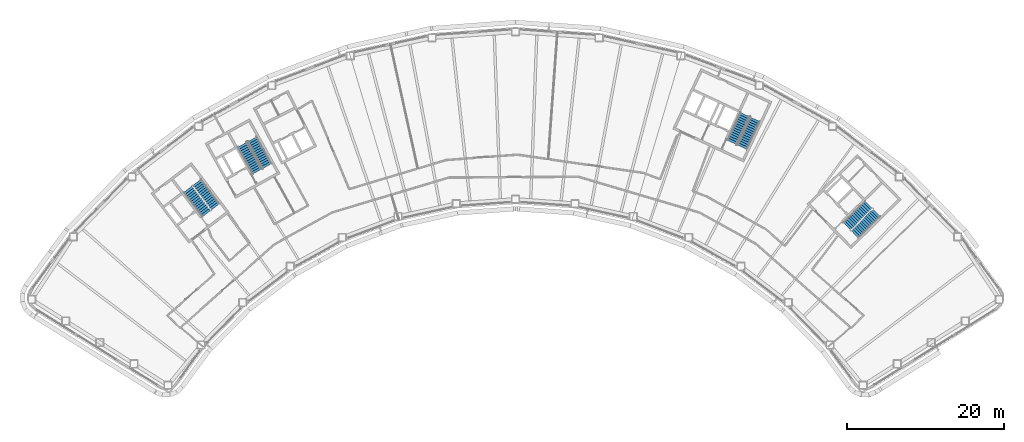
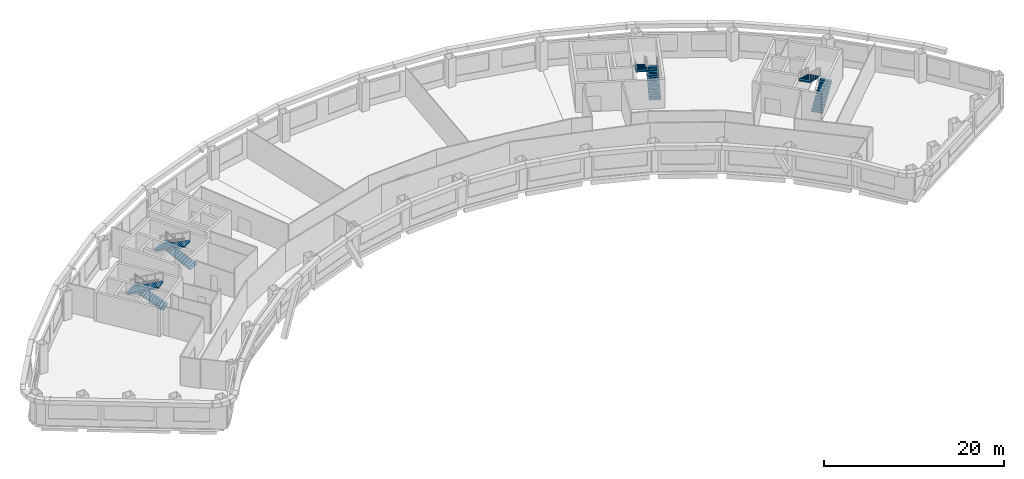
# One storey, part 8 of 13: 8 stair flights, 4 elements without a shape of their own.
"""IFC4 building model written with IfcOpenShell, lengths in metres."""

from ifc_helpers import new_model, si_unit, direction, frame, origin, place, context, subcontext, project, spatial, polyline, outline, extrude, material, type_object, element, aggregate, save


model = new_model("IFC4")

# Units and contexts
model_context = context("Model", 3, precision=1e-05, world=origin(), true_north=direction((0.0, 1.0)))
body_context = subcontext(model_context, "Body", "Model", "MODEL_VIEW")
ifc_project = project(units=[si_unit("LENGTHUNIT", "METRE"), si_unit("AREAUNIT", "SQUARE_METRE"), si_unit("VOLUMEUNIT", "CUBIC_METRE"), si_unit("PLANEANGLEUNIT", "RADIAN"), si_unit("MASSUNIT", "GRAM", prefix="KILO")], contexts=[model_context])

# Site, building, storey
site_placement = place(None, origin())
site = spatial("IfcSite", under=ifc_project, at=site_placement, CompositionType="ELEMENT")
building_placement = place(site_placement, origin())
building = spatial("IfcBuilding", under=site, at=building_placement, Name="Tuul Gate Civic Tower", CompositionType="ELEMENT")
storey_placement = place(building_placement, frame((0.0, 0.0, 150.800048828125)))
storey = spatial("IfcBuildingStorey", under=building, at=storey_placement, Name="Level 34", CompositionType="ELEMENT", Elevation=150.800048828125)

# Stair, stair flights
ifc_material_1 = material(Name="Concrete C40/50", Category="concrete")
stair_type = type_object("IfcStairType", Name="Exit stair", PredefinedType="HALF_TURN_STAIR", material=ifc_material_1)
stair_1_placement = place(storey_placement, origin())
stair_1 = element("IfcStair", 1, at=stair_1_placement, inside=storey, type_object=stair_type, Name="Level 34 ST-1", PredefinedType="HALF_TURN_STAIR")
ifc_material_2 = material(Name="Concrete C40/50", Category="concrete")
stair_flight_type = type_object("IfcStairFlightType", Name="Exit stair flight", PredefinedType="STRAIGHT", material=ifc_material_2)
stair_flight_1_placement = place(storey_placement, frame((-32.875244140625, -13.066650390625, 0.0), z_axis=(0.0, 0.0, 1.0), x_axis=(-0.605764474941, 0.795644016442, 0.0)))
stair_flight_1 = element("IfcStairFlight", 2, at=stair_flight_1_placement, type_object=stair_flight_type, Name="ST-1 flight 1", NumberOfRisers=14, NumberOfTreads=13, PredefinedType="STRAIGHT", RiserHeight=0.15, TreadLength=0.3, context=body_context, shape_type="SweptSolid", body=[
    extrude(outline(polyline([(0.0, 0.0), (0.0, 0.14990234375), (0.300048828125, 0.14990234375), (0.300048828125, 0.300048828125), (0.60009765625, 0.300048828125), (0.60009765625, 0.449951171875), (0.89990234375, 0.449951171875), (0.89990234375, 0.60009765625), (1.199951171875, 0.60009765625), (1.199951171875, 0.75), (1.5, 0.75), (1.5, 0.89990234375), (1.800048828125, 0.89990234375), (1.800048828125, 1.050048828125), (2.10009765625, 1.050048828125), (2.10009765625, 1.199951171875), (2.39990234375, 1.199951171875), (2.39990234375, 1.35009765625), (2.699951171875, 1.35009765625), (2.699951171875, 1.5), (3.0, 1.5), (3.0, 1.64990234375), (3.300048828125, 1.64990234375), (3.300048828125, 1.800048828125), (3.60009765625, 1.800048828125), (3.60009765625, 1.949951171875), (3.89990234375, 1.949951171875), (3.89990234375, 2.10009765625), (3.89990234375, 1.782470703125), (0.335205078125, 0.0), (0.0, 0.0)])), frame((0.0, 0.675048828125, 0.0), z_axis=(0.0, -1.0, 0.0), x_axis=(1.0, 0.0, 0.0)), (0.0, 0.0, 1.0), 1.35009765625),
])
stair_flight_2_placement = place(storey_placement, frame((-36.391357421875, -10.842041015625, 2.099853515625), z_axis=(0.0, 0.0, 1.0), x_axis=(0.605764474941, -0.795644016442, 0.0)))
stair_flight_2 = element("IfcStairFlight", 3, at=stair_flight_2_placement, type_object=stair_flight_type, Name="ST-1 flight 2", NumberOfRisers=14, NumberOfTreads=13, PredefinedType="STRAIGHT", RiserHeight=0.15, TreadLength=0.3, context=body_context, shape_type="SweptSolid", body=[
    extrude(outline(polyline([(0.0, 0.0), (0.0, 0.14990234375), (0.300048828125, 0.14990234375), (0.300048828125, 0.300048828125), (0.60009765625, 0.300048828125), (0.60009765625, 0.449951171875), (0.89990234375, 0.449951171875), (0.89990234375, 0.60009765625), (1.199951171875, 0.60009765625), (1.199951171875, 0.75), (1.5, 0.75), (1.5, 0.89990234375), (1.800048828125, 0.89990234375), (1.800048828125, 1.050048828125), (2.10009765625, 1.050048828125), (2.10009765625, 1.199951171875), (2.39990234375, 1.199951171875), (2.39990234375, 1.35009765625), (2.699951171875, 1.35009765625), (2.699951171875, 1.5), (3.0, 1.5), (3.0, 1.64990234375), (3.300048828125, 1.64990234375), (3.300048828125, 1.800048828125), (3.60009765625, 1.800048828125), (3.60009765625, 1.949951171875), (3.89990234375, 1.949951171875), (3.89990234375, 2.10009765625), (3.89990234375, 1.782470703125), (0.335205078125, 0.0), (0.0, 0.0)])), frame((0.0, 0.675048828125, 0.0), z_axis=(0.0, -1.0, 0.0), x_axis=(1.0, 0.0, 0.0)), (0.0, 0.0, 1.0), 1.35009765625),
])
aggregate(stair_1, [stair_flight_1, stair_flight_2])

stair_2_placement = place(storey_placement, origin())
stair_2 = element("IfcStair", 4, at=stair_2_placement, inside=storey, type_object=stair_type, Name="Level 34 ST-2", PredefinedType="HALF_TURN_STAIR")
stair_flight_3_placement = place(storey_placement, frame((-26.29150390625, -7.87646484375, 0.0), z_axis=(0.0, 0.0, 1.0), x_axis=(-0.484761763766, 0.874646232708, 0.0)))
stair_flight_3 = element("IfcStairFlight", 5, at=stair_flight_3_placement, type_object=stair_flight_type, Name="ST-2 flight 1", NumberOfRisers=14, NumberOfTreads=13, PredefinedType="STRAIGHT", RiserHeight=0.15, TreadLength=0.3, context=body_context, shape_type="SweptSolid", body=[
    extrude(outline(polyline([(0.0, 0.0), (0.0, 0.14990234375), (0.300048828125, 0.14990234375), (0.300048828125, 0.300048828125), (0.60009765625, 0.300048828125), (0.60009765625, 0.449951171875), (0.89990234375, 0.449951171875), (0.89990234375, 0.60009765625), (1.199951171875, 0.60009765625), (1.199951171875, 0.75), (1.5, 0.75), (1.5, 0.89990234375), (1.800048828125, 0.89990234375), (1.800048828125, 1.050048828125), (2.10009765625, 1.050048828125), (2.10009765625, 1.199951171875), (2.39990234375, 1.199951171875), (2.39990234375, 1.35009765625), (2.699951171875, 1.35009765625), (2.699951171875, 1.5), (3.0, 1.5), (3.0, 1.64990234375), (3.300048828125, 1.64990234375), (3.300048828125, 1.800048828125), (3.60009765625, 1.800048828125), (3.60009765625, 1.949951171875), (3.89990234375, 1.949951171875), (3.89990234375, 2.10009765625), (3.89990234375, 1.782470703125), (0.335205078125, 0.0), (0.0, 0.0)])), frame((0.0, 0.675048828125, 0.0), z_axis=(0.0, -1.0, 0.0), x_axis=(1.0, 0.0, 0.0)), (0.0, 0.0, 1.0), 1.35009765625),
])
stair_flight_4_placement = place(storey_placement, frame((-29.450439453125, -5.168212890625, 2.099853515625), z_axis=(0.0, 0.0, 1.0), x_axis=(0.484761763766, -0.874646232708, 0.0)))
stair_flight_4 = element("IfcStairFlight", 6, at=stair_flight_4_placement, type_object=stair_flight_type, Name="ST-2 flight 2", NumberOfRisers=14, NumberOfTreads=13, PredefinedType="STRAIGHT", RiserHeight=0.15, TreadLength=0.3, context=body_context, shape_type="SweptSolid", body=[
    extrude(outline(polyline([(0.0, 0.0), (0.0, 0.14990234375), (0.300048828125, 0.14990234375), (0.300048828125, 0.300048828125), (0.60009765625, 0.300048828125), (0.60009765625, 0.449951171875), (0.89990234375, 0.449951171875), (0.89990234375, 0.60009765625), (1.199951171875, 0.60009765625), (1.199951171875, 0.75), (1.5, 0.75), (1.5, 0.89990234375), (1.800048828125, 0.89990234375), (1.800048828125, 1.050048828125), (2.10009765625, 1.050048828125), (2.10009765625, 1.199951171875), (2.39990234375, 1.199951171875), (2.39990234375, 1.35009765625), (2.699951171875, 1.35009765625), (2.699951171875, 1.5), (3.0, 1.5), (3.0, 1.64990234375), (3.300048828125, 1.64990234375), (3.300048828125, 1.800048828125), (3.60009765625, 1.800048828125), (3.60009765625, 1.949951171875), (3.89990234375, 1.949951171875), (3.89990234375, 2.10009765625), (3.89990234375, 1.782470703125), (0.335205078125, 0.0), (0.0, 0.0)])), frame((0.0, 0.675048828125, 0.0), z_axis=(0.0, -1.0, 0.0), x_axis=(1.0, 0.0, 0.0)), (0.0, 0.0, 1.0), 1.35009765625),
])
aggregate(stair_2, [stair_flight_3, stair_flight_4])

stair_3_placement = place(storey_placement, origin())
stair_3 = element("IfcStair", 7, at=stair_3_placement, inside=storey, type_object=stair_type, Name="Level 34 ST-3", PredefinedType="HALF_TURN_STAIR")
stair_flight_5_placement = place(storey_placement, frame((48.61376953125, -16.581787109375, 0.0), z_axis=(0.0, 0.0, 1.0), x_axis=(0.714127290059, 0.700015866672, 0.0)))
stair_flight_5 = element("IfcStairFlight", 8, at=stair_flight_5_placement, type_object=stair_flight_type, Name="ST-3 flight 1", NumberOfRisers=14, NumberOfTreads=13, PredefinedType="STRAIGHT", RiserHeight=0.15, TreadLength=0.3, context=body_context, shape_type="SweptSolid", body=[
    extrude(outline(polyline([(0.0, 0.0), (0.0, 0.14990234375), (0.300048828125, 0.14990234375), (0.300048828125, 0.300048828125), (0.60009765625, 0.300048828125), (0.60009765625, 0.449951171875), (0.89990234375, 0.449951171875), (0.89990234375, 0.60009765625), (1.199951171875, 0.60009765625), (1.199951171875, 0.75), (1.5, 0.75), (1.5, 0.89990234375), (1.800048828125, 0.89990234375), (1.800048828125, 1.050048828125), (2.10009765625, 1.050048828125), (2.10009765625, 1.199951171875), (2.39990234375, 1.199951171875), (2.39990234375, 1.35009765625), (2.699951171875, 1.35009765625), (2.699951171875, 1.5), (3.0, 1.5), (3.0, 1.64990234375), (3.300048828125, 1.64990234375), (3.300048828125, 1.800048828125), (3.60009765625, 1.800048828125), (3.60009765625, 1.949951171875), (3.89990234375, 1.949951171875), (3.89990234375, 2.10009765625), (3.89990234375, 1.782470703125), (0.335205078125, 0.0), (0.0, 0.0)])), frame((0.0, 0.675048828125, 0.0), z_axis=(0.0, -1.0, 0.0), x_axis=(1.0, 0.0, 0.0)), (0.0, 0.0, 1.0), 1.35009765625),
])
stair_flight_6_placement = place(storey_placement, frame((50.3837890625, -12.816162109375, 2.099853515625), z_axis=(0.0, 0.0, 1.0), x_axis=(-0.714127290059, -0.700015866672, 0.0)))
stair_flight_6 = element("IfcStairFlight", 9, at=stair_flight_6_placement, type_object=stair_flight_type, Name="ST-3 flight 2", NumberOfRisers=14, NumberOfTreads=13, PredefinedType="STRAIGHT", RiserHeight=0.15, TreadLength=0.3, context=body_context, shape_type="SweptSolid", body=[
    extrude(outline(polyline([(0.0, 0.0), (0.0, 0.14990234375), (0.300048828125, 0.14990234375), (0.300048828125, 0.300048828125), (0.60009765625, 0.300048828125), (0.60009765625, 0.449951171875), (0.89990234375, 0.449951171875), (0.89990234375, 0.60009765625), (1.199951171875, 0.60009765625), (1.199951171875, 0.75), (1.5, 0.75), (1.5, 0.89990234375), (1.800048828125, 0.89990234375), (1.800048828125, 1.050048828125), (2.10009765625, 1.050048828125), (2.10009765625, 1.199951171875), (2.39990234375, 1.199951171875), (2.39990234375, 1.35009765625), (2.699951171875, 1.35009765625), (2.699951171875, 1.5), (3.0, 1.5), (3.0, 1.64990234375), (3.300048828125, 1.64990234375), (3.300048828125, 1.800048828125), (3.60009765625, 1.800048828125), (3.60009765625, 1.949951171875), (3.89990234375, 1.949951171875), (3.89990234375, 2.10009765625), (3.89990234375, 1.782470703125), (0.335205078125, 0.0), (0.0, 0.0)])), frame((0.0, 0.675048828125, 0.0), z_axis=(0.0, -1.0, 0.0), x_axis=(1.0, 0.0, 0.0)), (0.0, 0.0, 1.0), 1.35009765625),
])
aggregate(stair_3, [stair_flight_5, stair_flight_6])

stair_4_placement = place(storey_placement, origin())
stair_4 = element("IfcStair", 10, at=stair_4_placement, inside=storey, type_object=stair_type, Name="Level 34 ST-4", PredefinedType="HALF_TURN_STAIR")
stair_flight_7_placement = place(storey_placement, frame((34.278564453125, -5.478515625, 0.0), z_axis=(0.0, 0.0, 1.0), x_axis=(0.422576295988, 0.906327354806, 0.0)))
stair_flight_7 = element("IfcStairFlight", 11, at=stair_flight_7_placement, type_object=stair_flight_type, Name="ST-4 flight 1", NumberOfRisers=14, NumberOfTreads=13, PredefinedType="STRAIGHT", RiserHeight=0.15, TreadLength=0.3, context=body_context, shape_type="SweptSolid", body=[
    extrude(outline(polyline([(0.0, 0.0), (0.0, 0.14990234375), (0.300048828125, 0.14990234375), (0.300048828125, 0.300048828125), (0.60009765625, 0.300048828125), (0.60009765625, 0.449951171875), (0.89990234375, 0.449951171875), (0.89990234375, 0.60009765625), (1.199951171875, 0.60009765625), (1.199951171875, 0.75), (1.5, 0.75), (1.5, 0.89990234375), (1.800048828125, 0.89990234375), (1.800048828125, 1.050048828125), (2.10009765625, 1.050048828125), (2.10009765625, 1.199951171875), (2.39990234375, 1.199951171875), (2.39990234375, 1.35009765625), (2.699951171875, 1.35009765625), (2.699951171875, 1.5), (3.0, 1.5), (3.0, 1.64990234375), (3.300048828125, 1.64990234375), (3.300048828125, 1.800048828125), (3.60009765625, 1.800048828125), (3.60009765625, 1.949951171875), (3.89990234375, 1.949951171875), (3.89990234375, 2.10009765625), (3.89990234375, 1.782470703125), (0.335205078125, 0.0), (0.0, 0.0)])), frame((0.0, 0.675048828125, 0.0), z_axis=(0.0, -1.0, 0.0), x_axis=(1.0, 0.0, 0.0)), (0.0, 0.0, 1.0), 1.35009765625),
])
stair_flight_8_placement = place(storey_placement, frame((34.612548828125, -1.3310546875, 2.099853515625), z_axis=(0.0, 0.0, 1.0), x_axis=(-0.422576295988, -0.906327354806, 0.0)))
stair_flight_8 = element("IfcStairFlight", 12, at=stair_flight_8_placement, type_object=stair_flight_type, Name="ST-4 flight 2", NumberOfRisers=14, NumberOfTreads=13, PredefinedType="STRAIGHT", RiserHeight=0.15, TreadLength=0.3, context=body_context, shape_type="SweptSolid", body=[
    extrude(outline(polyline([(0.0, 0.0), (0.0, 0.14990234375), (0.300048828125, 0.14990234375), (0.300048828125, 0.300048828125), (0.60009765625, 0.300048828125), (0.60009765625, 0.449951171875), (0.89990234375, 0.449951171875), (0.89990234375, 0.60009765625), (1.199951171875, 0.60009765625), (1.199951171875, 0.75), (1.5, 0.75), (1.5, 0.89990234375), (1.800048828125, 0.89990234375), (1.800048828125, 1.050048828125), (2.10009765625, 1.050048828125), (2.10009765625, 1.199951171875), (2.39990234375, 1.199951171875), (2.39990234375, 1.35009765625), (2.699951171875, 1.35009765625), (2.699951171875, 1.5), (3.0, 1.5), (3.0, 1.64990234375), (3.300048828125, 1.64990234375), (3.300048828125, 1.800048828125), (3.60009765625, 1.800048828125), (3.60009765625, 1.949951171875), (3.89990234375, 1.949951171875), (3.89990234375, 2.10009765625), (3.89990234375, 1.782470703125), (0.335205078125, 0.0), (0.0, 0.0)])), frame((0.0, 0.675048828125, 0.0), z_axis=(0.0, -1.0, 0.0), x_axis=(1.0, 0.0, 0.0)), (0.0, 0.0, 1.0), 1.35009765625),
])
aggregate(stair_4, [stair_flight_7, stair_flight_8])

save(model, "model.ifc")
